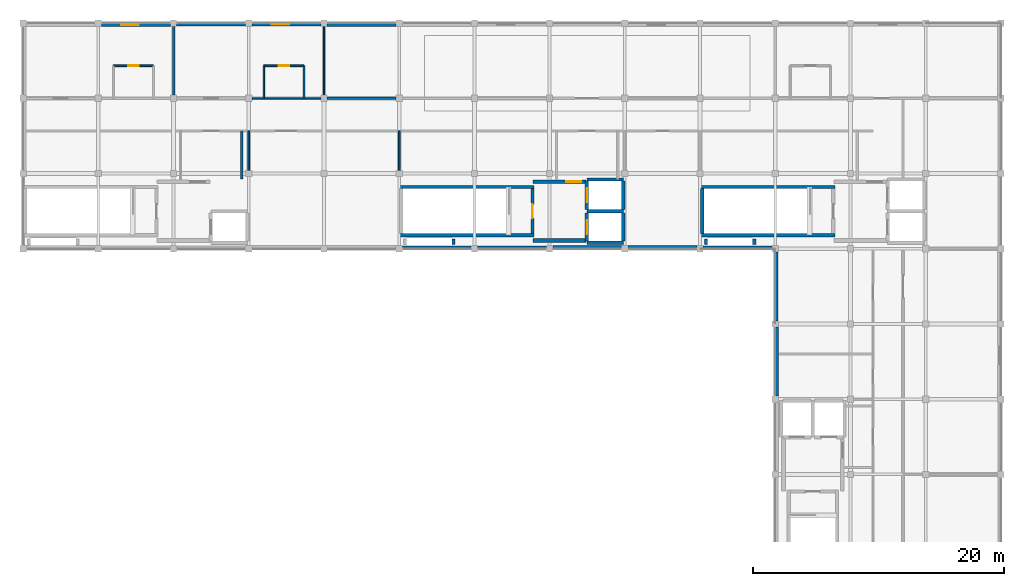
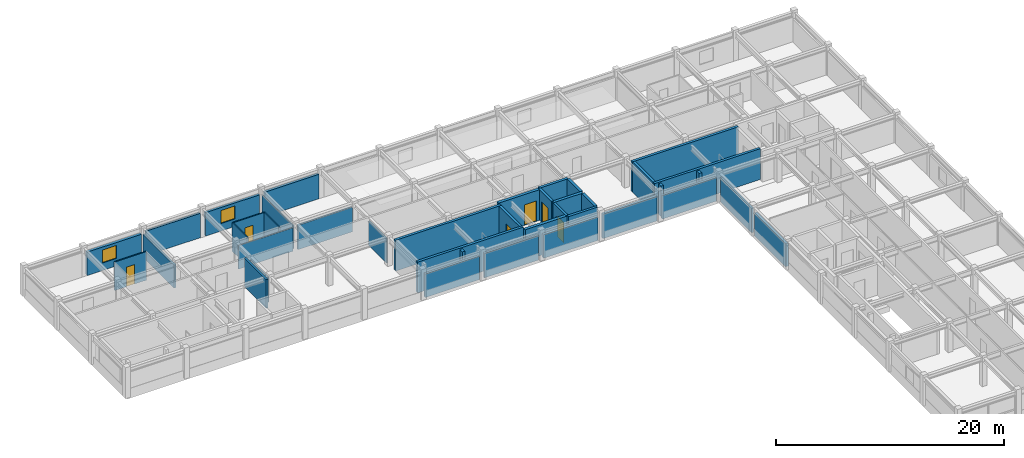
# One storey, part 7 of 11: 40 walls, 6 doors, 2 windows, 8 openings.
"""IFC4 building model written with IfcOpenShell, lengths in metres."""

from ifc_helpers import new_model, si_unit, direction, frame, frame_2d, origin, place, context, subcontext, project, spatial, rectangle, extrude, material, layer, layer_set, type_object, element, fill, save


model = new_model("IFC4")

# Units and contexts
model_context = context("Model", 3, precision=1e-05, world=origin(), true_north=direction((0.0, 1.0)))
body_context = subcontext(model_context, "Body", "Model", "MODEL_VIEW")
ifc_project = project(units=[si_unit("LENGTHUNIT", "METRE"), si_unit("AREAUNIT", "SQUARE_METRE"), si_unit("VOLUMEUNIT", "CUBIC_METRE"), si_unit("PLANEANGLEUNIT", "RADIAN"), si_unit("MASSUNIT", "GRAM", prefix="KILO"), si_unit("THERMODYNAMICTEMPERATUREUNIT", "KELVIN"), si_unit("POWERUNIT", "WATT")], contexts=[model_context])

# Site, building, storey
site_placement = place(None, origin())
site = spatial("IfcSite", under=ifc_project, at=site_placement, CompositionType="ELEMENT")
building_placement = place(site_placement, origin())
building = spatial("IfcBuilding", under=site, at=building_placement, Name="Phaisarnlok Congress Hotel", CompositionType="ELEMENT")
storey_placement = place(building_placement, frame((0.0, 0.0, 51.300048828125)))
storey = spatial("IfcBuildingStorey", under=building, at=storey_placement, Name="L13", CompositionType="ELEMENT", Elevation=51.300048828125)

# Walls
ifc_material_1 = material(Name="Concrete C40/50", Category="concrete")
ifc_layer_1 = layer(ifc_material_1, 0.2099609375, Name="Concrete C40/50")
ifc_layer_set_1 = layer_set([ifc_layer_1], Name="Concrete C40/50")
wall_type_1 = type_object("IfcWallType", Name="WL-EXT-210", PredefinedType="SOLIDWALL", material=ifc_layer_set_1)
for number, where, z_axis, x_axis, name in (
    (1, (119.7451171875, 125.89501953125, 0.0), (0.0, 0.0, 1.0), (-1.0, 0.0, 0.0), "Exterior wall EW-07 (L13)"),
    (2, (138.2548828125, 108.10498046875, 0.0), (0.0, 0.0, 1.0), (1.0, 0.0, 0.0), "Exterior wall EW-07 (L13)"),
):
    element("IfcWall", number, at=place(storey_placement, frame(where, z_axis=z_axis, x_axis=x_axis)), inside=storey, type_object=wall_type_1, Name=name, PredefinedType="SOLIDWALL", context=body_context, shape_type="SweptSolid", body=[
        extrude(rectangle(XDim=5.490234375, YDim=0.2099609375, at=frame_2d((2.7451171875, 0.0))), origin(), (0.0, 0.0, 1.0), 2.619873046875),
    ])
wall_1_placement = place(storey_placement, frame((162.10498046875, 107.7451171875, 0.0), z_axis=(0.0, 0.0, 1.0), x_axis=(0.0, -1.0, 0.0)))
element("IfcWall", 3, at=wall_1_placement, inside=storey, type_object=wall_type_1, Name="Exterior wall EW-07 (L13)", PredefinedType="SOLIDWALL", context=body_context, shape_type="SweptSolid", body=[
    extrude(rectangle(XDim=5.490234375, YDim=0.2099609375, at=frame_2d((2.7451171875, 0.0))), origin(), (0.0, 0.0, 1.0), 2.60986328125),
])

# Wall, opening, window
ifc_layer_2 = layer(ifc_material_1, 0.22998046875, Name="Concrete C40/50")
ifc_layer_set_2 = layer_set([ifc_layer_2], Name="Concrete C40/50")
wall_type_2 = type_object("IfcWallType", Name="WL-EXT-230", PredefinedType="SOLIDWALL", material=ifc_layer_set_2)
wall_2_placement = place(storey_placement, frame((125.7451171875, 125.885009765625, 0.0), z_axis=(0.0, 0.0, 1.0), x_axis=(-1.0, 0.0, 0.0)))
wall_2 = element("IfcWall", 4, at=wall_2_placement, inside=storey, type_object=wall_type_2, Name="Exterior wall EW-06 (L13)", PredefinedType="SOLIDWALL", context=body_context, shape_type="SweptSolid", body=[
    extrude(rectangle(XDim=5.490234375, YDim=0.22998046875, at=frame_2d((2.7451171875, 0.0))), origin(), (0.0, 0.0, 1.0), 2.510009765625),
])
opening_1_placement = place(wall_2_placement, frame((2.51806640625, 0.0, 0.800048828125)))
opening_1 = element("IfcOpeningElement", 5, at=opening_1_placement, cuts=wall_2, Name="Opening W-13", PredefinedType="OPENING", context=body_context, shape_type="SweptSolid", body=[
    extrude(rectangle(XDim=1.39990234375, YDim=1.39990234375, at=frame_2d((0.699951171875, 0.699951171875))), frame((0.0, 0.125, 0.0), z_axis=(0.0, -1.0, 0.0), x_axis=(1.0, 0.0, 0.0)), (0.0, 0.0, 1.0), 0.25),
])
ifc_material_2 = material(Name="Thermally Broken Aluminium & Low-E Double Glazing", Category="aluminium")
window_type = type_object("IfcWindowType", Name="WIN-POD-1400", PartitioningType="SINGLE_PANEL", PredefinedType="WINDOW", material=ifc_material_2)
window_1_placement = place(opening_1_placement, origin())
window_1 = element("IfcWindow", 6, at=window_1_placement, inside=storey, type_object=window_type, Name="Guestroom window W-13 (L13)", OverallHeight=1.39990234375, OverallWidth=1.39990234375, PartitioningType="SINGLE_PANEL", PredefinedType="WINDOW", context=body_context, shape_type="SweptSolid", body=[
    extrude(rectangle(XDim=1.39990234375, YDim=1.39990234375, at=frame_2d((0.699951171875, 0.699951171875))), frame((0.0, 0.030029296875, 0.0), z_axis=(0.0, -1.0, 0.0), x_axis=(1.0, 0.0, 0.0)), (0.0, 0.0, 1.0), 0.06005859375),
])
fill(opening_1, window_1)

# Walls
for number, where, z_axis, x_axis, name in (
    (7, (132.2548828125, 108.114990234375, 0.0), (0.0, 0.0, 1.0), (1.0, 0.0, 0.0), "Exterior wall EW-06 (L13)"),
    (8, (156.2548828125, 108.114990234375, 0.0), (0.0, 0.0, 1.0), (1.0, 0.0, 0.0), "Exterior wall EW-06 (L13)"),
):
    element("IfcWall", number, at=place(storey_placement, frame(where, z_axis=z_axis, x_axis=x_axis)), inside=storey, type_object=wall_type_2, Name=name, PredefinedType="SOLIDWALL", context=body_context, shape_type="SweptSolid", body=[
        extrude(rectangle(XDim=5.490234375, YDim=0.22998046875, at=frame_2d((2.7451171875, 0.0))), origin(), (0.0, 0.0, 1.0), 2.510009765625),
    ])
ifc_layer_3 = layer(ifc_material_1, 0.25, Name="Concrete C40/50")
ifc_layer_set_3 = layer_set([ifc_layer_3], Name="Concrete C40/50")
wall_type_3 = type_object("IfcWallType", Name="WL-EXT-250", PredefinedType="SOLIDWALL", material=ifc_layer_set_3)
for number, where, z_axis, x_axis, name in (
    (9, (131.7451171875, 125.875, 0.0), (0.0, 0.0, 1.0), (-1.0, 0.0, 0.0), "Exterior wall EW-05 (L13)"),
    (10, (150.2548828125, 108.125, 0.0), (0.0, 0.0, 1.0), (1.0, 0.0, 0.0), "Exterior wall EW-05 (L13)"),
):
    element("IfcWall", number, at=place(storey_placement, frame(where, z_axis=z_axis, x_axis=x_axis)), inside=storey, type_object=wall_type_3, Name=name, PredefinedType="SOLIDWALL", context=body_context, shape_type="SweptSolid", body=[
        extrude(rectangle(XDim=5.490234375, YDim=0.25, at=frame_2d((2.7451171875, 0.0))), origin(), (0.0, 0.0, 1.0), 2.619873046875),
    ])

# Wall, opening, window
ifc_layer_4 = layer(ifc_material_1, 0.27001953125, Name="Concrete C40/50")
ifc_layer_set_4 = layer_set([ifc_layer_4], Name="Concrete C40/50")
wall_type_4 = type_object("IfcWallType", Name="WL-EXT-270", PredefinedType="SOLIDWALL", material=ifc_layer_set_4)
wall_3_placement = place(storey_placement, frame((113.7451171875, 125.864990234375, 0.0), z_axis=(0.0, 0.0, 1.0), x_axis=(-1.0, 0.0, 0.0)))
wall_3 = element("IfcWall", 11, at=wall_3_placement, inside=storey, type_object=wall_type_4, Name="Exterior wall EW-04 (L13)", PredefinedType="SOLIDWALL", context=body_context, shape_type="SweptSolid", body=[
    extrude(rectangle(XDim=5.490234375, YDim=0.27001953125, at=frame_2d((2.7451171875, 0.0))), origin(), (0.0, 0.0, 1.0), 2.510009765625),
])
opening_2_placement = place(wall_3_placement, frame((2.51806640625, 0.0, 0.800048828125)))
opening_2 = element("IfcOpeningElement", 12, at=opening_2_placement, cuts=wall_3, Name="Opening W-13", PredefinedType="OPENING", context=body_context, shape_type="SweptSolid", body=[
    extrude(rectangle(XDim=1.39990234375, YDim=1.39990234375, at=frame_2d((0.699951171875, 0.699951171875))), frame((0.0, 0.14501953125, 0.0), z_axis=(0.0, -1.0, 0.0), x_axis=(1.0, 0.0, 0.0)), (0.0, 0.0, 1.0), 0.2900390625),
])
window_2_placement = place(opening_2_placement, origin())
window_2 = element("IfcWindow", 13, at=window_2_placement, inside=storey, type_object=window_type, Name="Guestroom window W-13 (L13)", OverallHeight=1.39990234375, OverallWidth=1.39990234375, PartitioningType="SINGLE_PANEL", PredefinedType="WINDOW", context=body_context, shape_type="SweptSolid", body=[
    extrude(rectangle(XDim=1.39990234375, YDim=1.39990234375, at=frame_2d((0.699951171875, 0.699951171875))), frame((0.0, 0.030029296875, 0.0), z_axis=(0.0, -1.0, 0.0), x_axis=(1.0, 0.0, 0.0)), (0.0, 0.0, 1.0), 0.06005859375),
])
fill(opening_2, window_2)

# Walls
wall_4_placement = place(storey_placement, frame((144.2548828125, 108.135009765625, 0.0), z_axis=(0.0, 0.0, 1.0), x_axis=(1.0, 0.0, 0.0)))
element("IfcWall", 14, at=wall_4_placement, inside=storey, type_object=wall_type_4, Name="Exterior wall EW-04 (L13)", PredefinedType="SOLIDWALL", context=body_context, shape_type="SweptSolid", body=[
    extrude(rectangle(XDim=5.490234375, YDim=0.27001953125, at=frame_2d((2.7451171875, 0.0))), origin(), (0.0, 0.0, 1.0), 2.510009765625),
])
wall_5_placement = place(storey_placement, frame((162.135009765625, 101.7451171875, 0.0), z_axis=(0.0, 0.0, 1.0), x_axis=(0.0, -1.0, 0.0)))
element("IfcWall", 15, at=wall_5_placement, inside=storey, type_object=wall_type_4, Name="Exterior wall EW-04 (L13)", PredefinedType="SOLIDWALL", context=body_context, shape_type="SweptSolid", body=[
    extrude(rectangle(XDim=5.490234375, YDim=0.27001953125, at=frame_2d((2.7451171875, 0.0))), origin(), (0.0, 0.0, 1.0), 2.4599609375),
])
ifc_material_3 = material(Name="Service Riser Shaftwall Partition", Category="gypsum")
ifc_layer_5 = layer(ifc_material_3, 0.10498046875, Name="Service Riser Shaftwall Partition")
ifc_layer_set_5 = layer_set([ifc_layer_5], Name="Service Riser Shaftwall Partition")
wall_type_5 = type_object("IfcWallType", Name="WL-INT-105", PredefinedType="PARTITIONING", material=ifc_layer_set_5)
wall_6_placement = place(storey_placement, frame((126.0, 120.2548828125, 0.0), z_axis=(0.0, 0.0, 1.0), x_axis=(0.0, 1.0, 0.0)))
element("IfcWall", 16, at=wall_6_placement, inside=storey, type_object=wall_type_5, Name="Interior partition wall IW-08 (L13)", PredefinedType="PARTITIONING", context=body_context, shape_type="SweptSolid", body=[
    extrude(rectangle(XDim=5.465087890625, YDim=0.10498046875, at=frame_2d((2.732421875, 0.0))), origin(), (0.0, 0.0, 1.0), 2.4599609375),
])
wall_7_placement = place(storey_placement, frame((120.2548828125, 120.0, 0.0), z_axis=(0.0, 0.0, 1.0), x_axis=(1.0, 0.0, 0.0)))
element("IfcWall", 17, at=wall_7_placement, inside=storey, type_object=wall_type_5, Name="Interior partition wall IW-08 (L13)", PredefinedType="PARTITIONING", context=body_context, shape_type="SweptSolid", body=[
    extrude(rectangle(XDim=5.490234375, YDim=0.10498046875, at=frame_2d((2.7451171875, 0.0))), origin(), (0.0, 0.0, 1.0), 2.510009765625),
])
ifc_material_4 = material(Name="Lightweight Metal-Stud Gypsum Partition", Category="gypsum")
ifc_layer_6 = layer(ifc_material_4, 0.1201171875, Name="Lightweight Metal-Stud Gypsum Partition")
ifc_layer_set_6 = layer_set([ifc_layer_6], Name="Lightweight Metal-Stud Gypsum Partition")
wall_type_6 = type_object("IfcWallType", Name="WL-INT-120", PredefinedType="PARTITIONING", material=ifc_layer_set_6)
wall_8_placement = place(storey_placement, frame((121.199951171875, 120.0, 0.0), z_axis=(0.0, 0.0, 1.0), x_axis=(0.0, 1.0, 0.0)))
element("IfcWall", 18, at=wall_8_placement, inside=storey, type_object=wall_type_6, Name="Interior partition wall IW-07 (L13)", PredefinedType="PARTITIONING", context=body_context, shape_type="SweptSolid", body=[
    extrude(rectangle(XDim=2.60009765625, YDim=0.1201171875, at=frame_2d((1.300048828125, 0.0))), origin(), (0.0, 0.0, 1.0), 3.06005859375),
])

# Wall, opening, door
wall_9_placement = place(storey_placement, frame((121.199951171875, 122.60009765625, 0.0), z_axis=(0.0, 0.0, 1.0), x_axis=(1.0, 0.0, 0.0)))
wall_9 = element("IfcWall", 19, at=wall_9_placement, inside=storey, type_object=wall_type_6, Name="Interior partition wall IW-07 (L13)", PredefinedType="PARTITIONING", context=body_context, shape_type="SweptSolid", body=[
    extrude(rectangle(XDim=3.199951171875, YDim=0.1201171875, at=frame_2d((1.60009765625, 0.0))), origin(), (0.0, 0.0, 1.0), 3.06005859375),
])
opening_3_placement = place(wall_9_placement, frame((1.175048828125, 0.0, 0.0)))
opening_3 = element("IfcOpeningElement", 20, at=opening_3_placement, cuts=wall_9, Name="Opening D-0729", PredefinedType="OPENING", context=body_context, shape_type="SweptSolid", body=[
    extrude(rectangle(XDim=0.85009765625, YDim=2.10009765625, at=frame_2d((0.425048828125, 1.050048828125))), frame((0.0, 0.070068359375, 0.0), z_axis=(0.0, -1.0, 0.0), x_axis=(1.0, 0.0, 0.0)), (0.0, 0.0, 1.0), 0.14013671875),
])
ifc_material_5 = material(Name="Moisture-Resistant Lacquered Timber", Category="wood")
door_type_1 = type_object("IfcDoorType", Name="DR-BATH-850", OperationType="NOTDEFINED", PredefinedType="DOOR", material=ifc_material_5)
door_1_placement = place(opening_3_placement, origin())
door_1 = element("IfcDoor", 21, at=door_1_placement, inside=storey, type_object=door_type_1, Name="Interior door D-0729 (L13)", OperationType="SINGLE_SWING_RIGHT", OverallHeight=2.10009765625, OverallWidth=0.85009765625, PredefinedType="DOOR", context=body_context, shape_type="SweptSolid", body=[
    extrude(rectangle(XDim=0.85009765625, YDim=2.10009765625, at=frame_2d((0.425048828125, 1.050048828125))), frame((0.0, 0.02490234375, 0.0), z_axis=(0.0, -1.0, 0.0), x_axis=(1.0, 0.0, 0.0)), (0.0, 0.0, 1.0), 0.050048828125),
])
fill(opening_3, door_1)

# Walls
ifc_material_6 = material(Name="Moisture-Resistant Gypsum Partition", Category="gypsum")
ifc_layer_7 = layer(ifc_material_6, 0.135009765625, Name="Moisture-Resistant Gypsum Partition")
ifc_layer_set_7 = layer_set([ifc_layer_7], Name="Moisture-Resistant Gypsum Partition")
wall_type_7 = type_object("IfcWallType", Name="WL-INT-135", PredefinedType="PARTITIONING", material=ifc_layer_set_7)
wall_10_placement = place(storey_placement, frame((120.0, 114.2548828125, 0.0), z_axis=(0.0, 0.0, 1.0), x_axis=(0.0, 1.0, 0.0)))
element("IfcWall", 22, at=wall_10_placement, inside=storey, type_object=wall_type_7, Name="Interior partition wall IW-06 (L13)", PredefinedType="PARTITIONING", context=body_context, shape_type="SweptSolid", body=[
    extrude(rectangle(XDim=3.14501953125, YDim=0.135009765625, at=frame_2d((1.572509765625, 0.0))), origin(), (0.0, 0.0, 1.0), 2.60986328125),
])
wall_11_placement = place(storey_placement, frame((124.39990234375, 120.0, 0.0), z_axis=(0.0, 0.0, 1.0), x_axis=(0.0, 1.0, 0.0)))
element("IfcWall", 23, at=wall_11_placement, inside=storey, type_object=wall_type_7, Name="Interior partition wall IW-06 (L13)", PredefinedType="PARTITIONING", context=body_context, shape_type="SweptSolid", body=[
    extrude(rectangle(XDim=2.60009765625, YDim=0.135009765625, at=frame_2d((1.300048828125, 0.0))), origin(), (0.0, 0.0, 1.0), 3.06005859375),
])
wall_12_placement = place(storey_placement, frame((132.0, 114.2548828125, 0.0), z_axis=(0.0, 0.0, 1.0), x_axis=(0.0, 1.0, 0.0)))
element("IfcWall", 24, at=wall_12_placement, inside=storey, type_object=wall_type_7, Name="Interior partition wall IW-06 (L13)", PredefinedType="PARTITIONING", context=body_context, shape_type="SweptSolid", body=[
    extrude(rectangle(XDim=3.14501953125, YDim=0.135009765625, at=frame_2d((1.572509765625, 0.0))), origin(), (0.0, 0.0, 1.0), 2.60986328125),
])

# Wall, opening, door
wall_13_placement = place(storey_placement, frame((109.199951171875, 122.60009765625, 0.0), z_axis=(0.0, 0.0, 1.0), x_axis=(1.0, 0.0, 0.0)))
wall_13 = element("IfcWall", 25, at=wall_13_placement, inside=storey, type_object=wall_type_7, Name="Interior partition wall IW-06 (L13)", PredefinedType="PARTITIONING", context=body_context, shape_type="SweptSolid", body=[
    extrude(rectangle(XDim=3.199951171875, YDim=0.135009765625, at=frame_2d((1.60009765625, 0.0))), origin(), (0.0, 0.0, 1.0), 3.06005859375),
])
opening_4_placement = place(wall_13_placement, frame((1.175048828125, 0.0, 0.0)))
opening_4 = element("IfcOpeningElement", 26, at=opening_4_placement, cuts=wall_13, Name="Opening D-0727", PredefinedType="OPENING", context=body_context, shape_type="SweptSolid", body=[
    extrude(rectangle(XDim=0.85009765625, YDim=2.10009765625, at=frame_2d((0.425048828125, 1.050048828125))), frame((0.0, 0.07763671875, 0.0), z_axis=(0.0, -1.0, 0.0), x_axis=(1.0, 0.0, 0.0)), (0.0, 0.0, 1.0), 0.155029296875),
])
door_2_placement = place(opening_4_placement, origin())
door_2 = element("IfcDoor", 27, at=door_2_placement, inside=storey, type_object=door_type_1, Name="Interior door D-0727 (L13)", OperationType="SINGLE_SWING_RIGHT", OverallHeight=2.10009765625, OverallWidth=0.85009765625, PredefinedType="DOOR", context=body_context, shape_type="SweptSolid", body=[
    extrude(rectangle(XDim=0.85009765625, YDim=2.10009765625, at=frame_2d((0.425048828125, 1.050048828125))), frame((0.0, 0.02490234375, 0.0), z_axis=(0.0, -1.0, 0.0), x_axis=(1.0, 0.0, 0.0)), (0.0, 0.0, 1.0), 0.050048828125),
])
fill(opening_4, door_2)

# Walls
ifc_material_7 = material(Name="Autoclaved Aerated Concrete Block", Category="concrete")
ifc_layer_8 = layer(ifc_material_7, 0.179931640625, Name="Autoclaved Aerated Concrete Block")
ifc_layer_set_8 = layer_set([ifc_layer_8], Name="Autoclaved Aerated Concrete Block")
wall_type_8 = type_object("IfcWallType", Name="WL-INT-180", PredefinedType="PARTITIONING", material=ifc_layer_set_8)
wall_14_placement = place(storey_placement, frame((119.449951171875, 113.56005859375, 0.0), z_axis=(0.0, 0.0, 1.0), x_axis=(0.0, 1.0, 0.0)))
element("IfcWall", 28, at=wall_14_placement, inside=storey, type_object=wall_type_8, Name="Interior partition wall IW-03 (L13)", PredefinedType="PARTITIONING", context=body_context, shape_type="SweptSolid", body=[
    extrude(rectangle(XDim=3.83984375, YDim=0.179931640625, at=frame_2d((1.919921875, 0.0))), origin(), (0.0, 0.0, 1.0), 3.06005859375),
])
wall_15_placement = place(storey_placement, frame((126.2548828125, 120.0, 0.0), z_axis=(0.0, 0.0, 1.0), x_axis=(1.0, 0.0, 0.0)))
element("IfcWall", 29, at=wall_15_placement, inside=storey, type_object=wall_type_8, Name="Interior partition wall IW-03 (L13)", PredefinedType="PARTITIONING", context=body_context, shape_type="SweptSolid", body=[
    extrude(rectangle(XDim=5.490234375, YDim=0.179931640625, at=frame_2d((2.7451171875, 0.0))), origin(), (0.0, 0.0, 1.0), 2.619873046875),
])
ifc_layer_9 = layer(ifc_material_7, 0.199951171875, Name="Autoclaved Aerated Concrete Block")
ifc_layer_set_9 = layer_set([ifc_layer_9], Name="Autoclaved Aerated Concrete Block")
wall_type_9 = type_object("IfcWallType", Name="WL-INT-200", PredefinedType="PARTITIONING", material=ifc_layer_set_9)
wall_16_placement = place(storey_placement, frame((114.0, 120.2548828125, 0.0), z_axis=(0.0, 0.0, 1.0), x_axis=(0.0, 1.0, 0.0)))
element("IfcWall", 30, at=wall_16_placement, inside=storey, type_object=wall_type_9, Name="Interior partition wall IW-02 (L13)", PredefinedType="PARTITIONING", context=body_context, shape_type="SweptSolid", body=[
    extrude(rectangle(XDim=5.465087890625, YDim=0.199951171875, at=frame_2d((2.732421875, 0.0))), origin(), (0.0, 0.0, 1.0), 2.4599609375),
])
ifc_material_8 = material(Name="Concrete C50/60", Category="concrete")
ifc_layer_10 = layer(ifc_material_8, 0.260009765625, Name="Concrete C50/60")
ifc_layer_set_10 = layer_set([ifc_layer_10], Name="Concrete C50/60")
wall_type_10 = type_object("IfcWallType", Name="WL-SHR-260", PredefinedType="SHEAR", material=ifc_layer_set_10)
for number, where, z_axis, x_axis, name in (
    (31, (156.0400390625, 109.070068359375, 0.0), (0.0, 0.0, 1.0), (1.0, 0.0, 0.0), "Stair shaft shear wall SW-04 (CORE-1 L13)"),
    (32, (156.0400390625, 112.929931640625, 0.0), (0.0, 0.0, 1.0), (1.0, 0.0, 0.0), "Stair shaft shear wall SW-04 (CORE-1 L13)"),
):
    element("IfcWall", number, at=place(storey_placement, frame(where, z_axis=z_axis, x_axis=x_axis)), inside=storey, type_object=wall_type_10, Name=name, PredefinedType="SHEAR", context=body_context, shape_type="SweptSolid", body=[
        extrude(rectangle(XDim=10.719970703125, YDim=0.260009765625, at=frame_2d((5.35986328125, 0.0))), origin(), (0.0, 0.0, 1.0), 3.300048828125),
    ])
wall_17_placement = place(storey_placement, frame((156.169921875, 109.199951171875, 0.0), z_axis=(0.0, 0.0, 1.0), x_axis=(0.0, 1.0, 0.0)))
element("IfcWall", 33, at=wall_17_placement, inside=storey, type_object=wall_type_10, Name="Stair shaft shear wall SW-04 (CORE-1 L13)", PredefinedType="SHEAR", context=body_context, shape_type="SweptSolid", body=[
    extrude(rectangle(XDim=3.60009765625, YDim=0.260009765625, at=frame_2d((1.800048828125, 0.0))), origin(), (0.0, 0.0, 1.0), 3.300048828125),
])
for number, where, z_axis, x_axis, name in (
    (34, (156.469970703125, 108.330078125, 0.0), (0.0, 0.0, 1.0), (0.0, 1.0, 0.0), "Service riser shaft wall SW-04 (CORE-1 L13)"),
    (35, (160.330078125, 108.330078125, 0.0), (0.0, 0.0, 1.0), (0.0, 1.0, 0.0), "Service riser shaft wall SW-04 (CORE-1 L13)"),
):
    element("IfcWall", number, at=place(storey_placement, frame(where, z_axis=z_axis, x_axis=x_axis)), inside=storey, type_object=wall_type_10, Name=name, PredefinedType="SHEAR", context=body_context, shape_type="SweptSolid", body=[
        extrude(rectangle(XDim=0.43994140625, YDim=0.260009765625, at=frame_2d((0.219970703125, 0.0))), origin(), (0.0, 0.0, 1.0), 3.300048828125),
    ])
for number, where, z_axis, x_axis, name in (
    (36, (132.0400390625, 109.070068359375, 0.0), (0.0, 0.0, 1.0), (1.0, 0.0, 0.0), "Stair shaft shear wall SW-04 (CORE-2 L13)"),
    (37, (132.0400390625, 112.929931640625, 0.0), (0.0, 0.0, 1.0), (1.0, 0.0, 0.0), "Stair shaft shear wall SW-04 (CORE-2 L13)"),
):
    element("IfcWall", number, at=place(storey_placement, frame(where, z_axis=z_axis, x_axis=x_axis)), inside=storey, type_object=wall_type_10, Name=name, PredefinedType="SHEAR", context=body_context, shape_type="SweptSolid", body=[
        extrude(rectangle(XDim=10.719970703125, YDim=0.260009765625, at=frame_2d((5.35986328125, 0.0))), origin(), (0.0, 0.0, 1.0), 3.300048828125),
    ])

# Wall, opening, door
wall_18_placement = place(storey_placement, frame((142.6298828125, 109.199951171875, 0.0), z_axis=(0.0, 0.0, 1.0), x_axis=(0.0, 1.0, 0.0)))
wall_18 = element("IfcWall", 38, at=wall_18_placement, inside=storey, type_object=wall_type_10, Name="Stair shaft shear wall SW-04 (CORE-2 L13)", PredefinedType="SHEAR", context=body_context, shape_type="SweptSolid", body=[
    extrude(rectangle(XDim=3.60009765625, YDim=0.260009765625, at=frame_2d((1.800048828125, 0.0))), origin(), (0.0, 0.0, 1.0), 3.300048828125),
])
opening_5_placement = place(wall_18_placement, frame((1.25, 0.0, 0.0)))
opening_5 = element("IfcOpeningElement", 39, at=opening_5_placement, cuts=wall_18, Name="Opening FD-045", PredefinedType="OPENING", context=body_context, shape_type="SweptSolid", body=[
    extrude(rectangle(XDim=1.10009765625, YDim=2.14990234375, at=frame_2d((0.550048828125, 1.074951171875))), frame((0.0, 0.14013671875, 0.0), z_axis=(0.0, -1.0, 0.0), x_axis=(1.0, 0.0, 0.0)), (0.0, 0.0, 1.0), 0.280029296875),
])
ifc_material_9 = material(Name="Fire-Rated Steel Frame & Timber Leaf", Category="steel")
door_type_2 = type_object("IfcDoorType", Name="DR-FD60-1100", OperationType="NOTDEFINED", PredefinedType="DOOR", material=ifc_material_9)
door_3_placement = place(opening_5_placement, origin())
door_3 = element("IfcDoor", 40, at=door_3_placement, inside=storey, type_object=door_type_2, Name="Stair enclosure fire door FD-045 (L13)", OperationType="SINGLE_SWING_RIGHT", OverallHeight=2.14990234375, OverallWidth=1.10009765625, PredefinedType="DOOR", context=body_context, shape_type="SweptSolid", body=[
    extrude(rectangle(XDim=1.10009765625, YDim=2.14990234375, at=frame_2d((0.550048828125, 1.074951171875))), frame((0.0, 0.02490234375, 0.0), z_axis=(0.0, -1.0, 0.0), x_axis=(1.0, 0.0, 0.0)), (0.0, 0.0, 1.0), 0.050048828125),
])
fill(opening_5, door_3)

# Walls
wall_19_placement = place(storey_placement, frame((146.969970703125, 108.469970703125, 0.0), z_axis=(0.0, 0.0, 1.0), x_axis=(1.0, 0.0, 0.0)))
element("IfcWall", 41, at=wall_19_placement, inside=storey, type_object=wall_type_10, Name="Lift shaft shear wall SW-04 (LF-FF2 L13)", PredefinedType="SHEAR", context=body_context, shape_type="SweptSolid", body=[
    extrude(rectangle(XDim=2.909912109375, YDim=0.260009765625, at=frame_2d((1.455078125, 0.0))), origin(), (0.0, 0.0, 1.0), 3.300048828125),
])
wall_20_placement = place(storey_placement, frame((149.8798828125, 108.60009765625, 0.0), z_axis=(0.0, 0.0, 1.0), x_axis=(0.0, 1.0, 0.0)))
element("IfcWall", 42, at=wall_20_placement, inside=storey, type_object=wall_type_10, Name="Lift shaft shear wall SW-04 (LF-FF2 L13)", PredefinedType="SHEAR", context=body_context, shape_type="SweptSolid", body=[
    extrude(rectangle(XDim=2.25, YDim=0.260009765625, at=frame_2d((1.125, 0.0))), origin(), (0.0, 0.0, 1.0), 3.300048828125),
])

# Wall, opening, door
wall_21_placement = place(storey_placement, frame((146.969970703125, 108.60009765625, 0.0), z_axis=(0.0, 0.0, 1.0), x_axis=(0.0, 1.0, 0.0)))
wall_21 = element("IfcWall", 43, at=wall_21_placement, inside=storey, type_object=wall_type_10, Name="Lift shaft front wall SW-04 (LF-FF2 L13)", PredefinedType="SHEAR", context=body_context, shape_type="SweptSolid", body=[
    extrude(rectangle(XDim=2.25, YDim=0.260009765625, at=frame_2d((1.125, 0.0))), origin(), (0.0, 0.0, 1.0), 3.300048828125),
])
opening_6_placement = place(wall_21_placement, frame((0.574951171875, 0.0, 0.0)))
opening_6 = element("IfcOpeningElement", 44, at=opening_6_placement, cuts=wall_21, Name="Opening LD-045", PredefinedType="OPENING", context=body_context, shape_type="SweptSolid", body=[
    extrude(rectangle(XDim=1.10009765625, YDim=2.199951171875, at=frame_2d((0.550048828125, 1.10009765625))), frame((0.0, 0.14013671875, 0.0), z_axis=(0.0, -1.0, 0.0), x_axis=(1.0, 0.0, 0.0)), (0.0, 0.0, 1.0), 0.280029296875),
])
ifc_material_10 = material(Name="Brushed Stainless Steel Grade 304", Category="steel")
door_type_3 = type_object("IfcDoorType", Name="DR-LD-1100", OperationType="DOUBLE_DOOR_SLIDING", PredefinedType="DOOR", material=ifc_material_10)
door_4_placement = place(opening_6_placement, origin())
door_4 = element("IfcDoor", 45, at=door_4_placement, inside=storey, type_object=door_type_3, Name="Lift landing sliding door LD-045 (LF-FF2 L13)", OperationType="DOUBLE_DOOR_SLIDING", OverallHeight=2.199951171875, OverallWidth=1.10009765625, PredefinedType="DOOR", context=body_context, shape_type="SweptSolid", body=[
    extrude(rectangle(XDim=1.10009765625, YDim=2.199951171875, at=frame_2d((0.550048828125, 1.10009765625))), frame((0.0, 0.02490234375, 0.0), z_axis=(0.0, -1.0, 0.0), x_axis=(1.0, 0.0, 0.0)), (0.0, 0.0, 1.0), 0.050048828125),
])
fill(opening_6, door_4)

# Walls
wall_22_placement = place(storey_placement, frame((146.969970703125, 113.530029296875, 0.0), z_axis=(0.0, 0.0, 1.0), x_axis=(1.0, 0.0, 0.0)))
element("IfcWall", 46, at=wall_22_placement, inside=storey, type_object=wall_type_10, Name="Lift shaft shear wall SW-04 (LF-HP2 L13)", PredefinedType="SHEAR", context=body_context, shape_type="SweptSolid", body=[
    extrude(rectangle(XDim=2.909912109375, YDim=0.260009765625, at=frame_2d((1.455078125, 0.0))), origin(), (0.0, 0.0, 1.0), 3.300048828125),
])
wall_23_placement = place(storey_placement, frame((149.8798828125, 111.14990234375, 0.0), z_axis=(0.0, 0.0, 1.0), x_axis=(0.0, 1.0, 0.0)))
element("IfcWall", 47, at=wall_23_placement, inside=storey, type_object=wall_type_10, Name="Lift shaft shear wall SW-04 (LF-HP2 L13)", PredefinedType="SHEAR", context=body_context, shape_type="SweptSolid", body=[
    extrude(rectangle(XDim=2.25, YDim=0.260009765625, at=frame_2d((1.125, 0.0))), origin(), (0.0, 0.0, 1.0), 3.300048828125),
])

# Wall, opening, door
wall_24_placement = place(storey_placement, frame((146.969970703125, 111.14990234375, 0.0), z_axis=(0.0, 0.0, 1.0), x_axis=(0.0, 1.0, 0.0)))
wall_24 = element("IfcWall", 48, at=wall_24_placement, inside=storey, type_object=wall_type_10, Name="Lift shaft front wall SW-04 (LF-HP2 L13)", PredefinedType="SHEAR", context=body_context, shape_type="SweptSolid", body=[
    extrude(rectangle(XDim=2.25, YDim=0.260009765625, at=frame_2d((1.125, 0.0))), origin(), (0.0, 0.0, 1.0), 3.300048828125),
])
opening_7_placement = place(wall_24_placement, frame((0.574951171875, 0.0, 0.0)))
opening_7 = element("IfcOpeningElement", 49, at=opening_7_placement, cuts=wall_24, Name="Opening LD-060", PredefinedType="OPENING", context=body_context, shape_type="SweptSolid", body=[
    extrude(rectangle(XDim=1.10009765625, YDim=2.199951171875, at=frame_2d((0.550048828125, 1.10009765625))), frame((0.0, 0.14013671875, 0.0), z_axis=(0.0, -1.0, 0.0), x_axis=(1.0, 0.0, 0.0)), (0.0, 0.0, 1.0), 0.280029296875),
])
door_5_placement = place(opening_7_placement, origin())
door_5 = element("IfcDoor", 50, at=door_5_placement, inside=storey, type_object=door_type_3, Name="Lift landing sliding door LD-060 (LF-HP2 L13)", OperationType="DOUBLE_DOOR_SLIDING", OverallHeight=2.199951171875, OverallWidth=1.10009765625, PredefinedType="DOOR", context=body_context, shape_type="SweptSolid", body=[
    extrude(rectangle(XDim=1.10009765625, YDim=2.199951171875, at=frame_2d((0.550048828125, 1.10009765625))), frame((0.0, 0.02490234375, 0.0), z_axis=(0.0, -1.0, 0.0), x_axis=(1.0, 0.0, 0.0)), (0.0, 0.0, 1.0), 0.050048828125),
])
fill(opening_7, door_5)

# Walls
wall_25_placement = place(storey_placement, frame((136.330078125, 108.330078125, 0.0), z_axis=(0.0, 0.0, 1.0), x_axis=(0.0, 1.0, 0.0)))
element("IfcWall", 51, at=wall_25_placement, inside=storey, type_object=wall_type_10, Name="Service riser shaft wall SW-04 (CORE-2 L13)", PredefinedType="SHEAR", context=body_context, shape_type="SweptSolid", body=[
    extrude(rectangle(XDim=0.43994140625, YDim=0.260009765625, at=frame_2d((0.219970703125, 0.0))), origin(), (0.0, 0.0, 1.0), 3.300048828125),
])
ifc_layer_11 = layer(ifc_material_8, 0.300048828125, Name="Concrete C50/60")
ifc_layer_set_11 = layer_set([ifc_layer_11], Name="Concrete C50/60")
wall_type_11 = type_object("IfcWallType", Name="WL-SHR-300", PredefinedType="SHEAR", material=ifc_layer_set_11)
wall_26_placement = place(storey_placement, frame((146.969970703125, 111.0, 0.0), z_axis=(0.0, 0.0, 1.0), x_axis=(1.0, 0.0, 0.0)))
element("IfcWall", 52, at=wall_26_placement, inside=storey, type_object=wall_type_11, Name="Lift shaft divider shear wall SW-03 (LF-FF2 L13)", PredefinedType="SHEAR", context=body_context, shape_type="SweptSolid", body=[
    extrude(rectangle(XDim=2.909912109375, YDim=0.300048828125, at=frame_2d((1.455078125, 0.0))), origin(), (0.0, 0.0, 1.0), 3.300048828125),
])

# Wall, opening, door
wall_27_placement = place(storey_placement, frame((142.679931640625, 113.35009765625, 0.0), z_axis=(0.0, 0.0, 1.0), x_axis=(1.0, 0.0, 0.0)))
wall_27 = element("IfcWall", 53, at=wall_27_placement, inside=storey, type_object=wall_type_11, Name="Core lobby EI-120 wall SW-03 (CORE-2 L13)", PredefinedType="SHEAR", context=body_context, shape_type="SweptSolid", body=[
    extrude(rectangle(XDim=4.239990234375, YDim=0.300048828125, at=frame_2d((2.1201171875, 0.0))), origin(), (0.0, 0.0, 1.0), 3.300048828125),
])
opening_8_placement = place(wall_27_placement, frame((2.64990234375, 0.0, 0.0)))
opening_8 = element("IfcOpeningElement", 54, at=opening_8_placement, cuts=wall_27, Name="Opening FD-060", PredefinedType="OPENING", context=body_context, shape_type="SweptSolid", body=[
    extrude(rectangle(XDim=1.199951171875, YDim=2.199951171875, at=frame_2d((0.60009765625, 1.10009765625))), frame((0.0, 0.16015625, 0.0), z_axis=(0.0, -1.0, 0.0), x_axis=(1.0, 0.0, 0.0)), (0.0, 0.0, 1.0), 0.320068359375),
])
door_type_4 = type_object("IfcDoorType", Name="DR-FD60-1200", OperationType="NOTDEFINED", PredefinedType="DOOR", material=ifc_material_9)
door_6_placement = place(opening_8_placement, origin())
door_6 = element("IfcDoor", 55, at=door_6_placement, inside=storey, type_object=door_type_4, Name="Firefighting lobby entrance door FD-060 (CORE-2 L13)", OperationType="SINGLE_SWING_LEFT", OverallHeight=2.199951171875, OverallWidth=1.199951171875, PredefinedType="DOOR", context=body_context, shape_type="SweptSolid", body=[
    extrude(rectangle(XDim=1.199951171875, YDim=2.199951171875, at=frame_2d((0.60009765625, 1.10009765625))), frame((0.0, 0.02490234375, 0.0), z_axis=(0.0, -1.0, 0.0), x_axis=(1.0, 0.0, 0.0)), (0.0, 0.0, 1.0), 0.050048828125),
])
fill(opening_8, door_6)

# Wall
wall_28_placement = place(storey_placement, frame((142.679931640625, 108.64990234375, 0.0), z_axis=(0.0, 0.0, 1.0), x_axis=(1.0, 0.0, 0.0)))
element("IfcWall", 56, at=wall_28_placement, inside=storey, type_object=wall_type_11, Name="Core lobby EI-120 wall SW-03 (CORE-2 L13)", PredefinedType="SHEAR", context=body_context, shape_type="SweptSolid", body=[
    extrude(rectangle(XDim=4.239990234375, YDim=0.300048828125, at=frame_2d((2.1201171875, 0.0))), origin(), (0.0, 0.0, 1.0), 3.300048828125),
])

save(model, "model.ifc")
